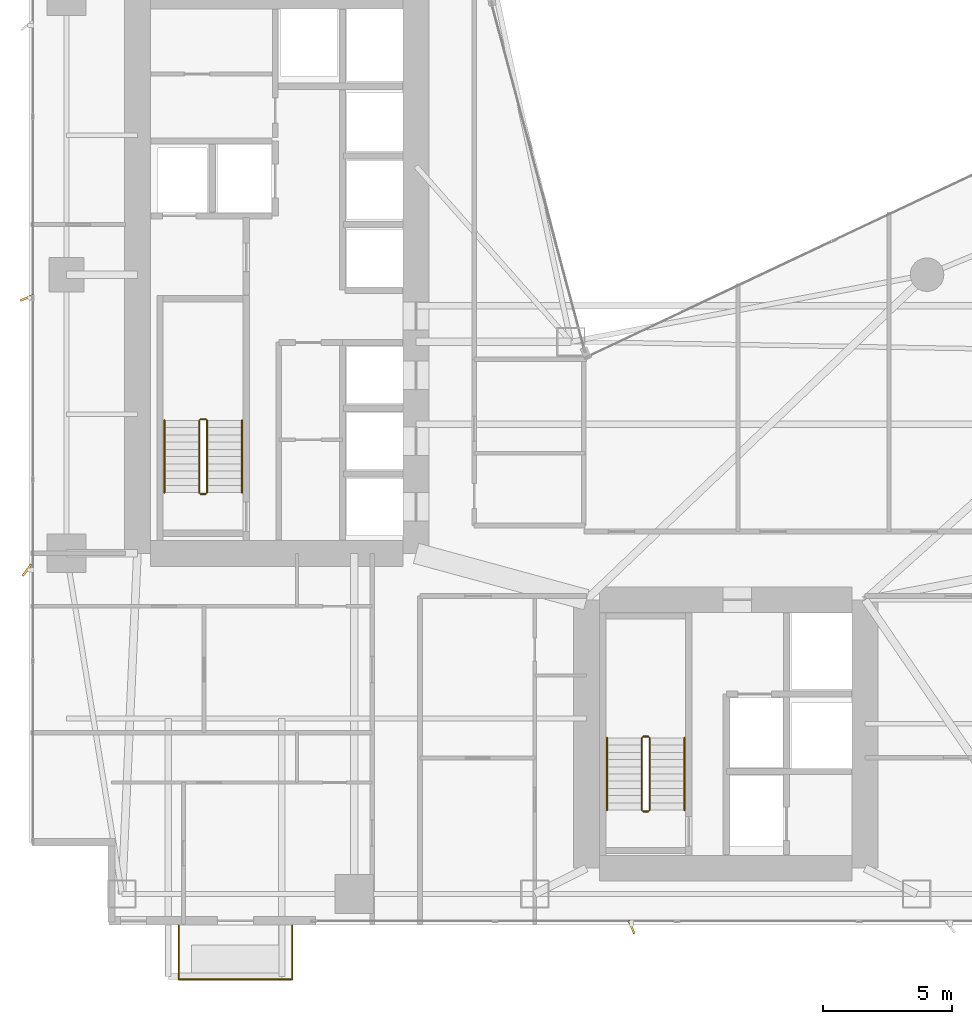
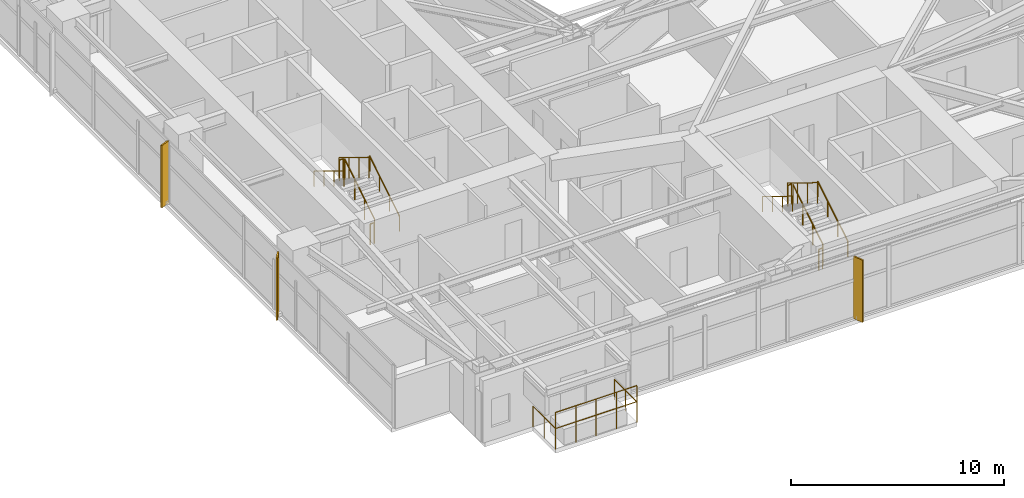
# One storey, part 28 of 29: 14 railings, 3 shading devices.
"""IFC4 building model written with IfcOpenShell, lengths in metres."""

from ifc_helpers import new_model, si_unit, direction, frame, origin, origin_2d, place, context, subcontext, project, spatial, rectangle, circle, extrude, material, type_object, element, save


model = new_model("IFC4")

# Units and contexts
model_context = context("Model", 3, precision=1e-05, world=origin(), true_north=direction((0.0, 1.0)))
body_context = subcontext(model_context, "Body", "Model", "MODEL_VIEW")
ifc_project = project(units=[si_unit("LENGTHUNIT", "METRE"), si_unit("AREAUNIT", "SQUARE_METRE"), si_unit("VOLUMEUNIT", "CUBIC_METRE"), si_unit("PLANEANGLEUNIT", "RADIAN"), si_unit("MASSUNIT", "GRAM", prefix="KILO")], contexts=[model_context])

# Site, building, storey
site_placement = place(None, origin())
site = spatial("IfcSite", under=ifc_project, at=site_placement, CompositionType="ELEMENT")
building_placement = place(site_placement, origin())
building = spatial("IfcBuilding", under=site, at=building_placement, Name="Calvorn Quay Hotel", CompositionType="ELEMENT")
storey_placement = place(building_placement, frame((0.0, 0.0, 62.199951171875)))
storey = spatial("IfcBuildingStorey", under=building, at=storey_placement, Name="L14", CompositionType="ELEMENT", Elevation=62.199951171875)

# Railings
ifc_material_1 = material(Name="Pale Anodised Aluminium and Laminated Glass", Category="aluminium")
railing_type_1 = type_object("IfcRailingType", Name="RLG-BALUSTRADE-1200", PredefinedType="BALUSTRADE", material=ifc_material_1)
railing_1_placement = place(storey_placement, frame((5.800048828125, 2.389892578125, 0.0)))
element("IfcRailing", 1, at=railing_1_placement, inside=storey, type_object=railing_type_1, Name="Tree Balcony Perimeter Balustrade L14-BALC-S", PredefinedType="BALUSTRADE", context=body_context, shape_type="SweptSolid", body=[
    extrude(circle(Radius=0.02392578125, at=origin_2d()), frame((0.0, 0.0, 1.17578125), z_axis=(0.0, -1.0, 0.0), x_axis=(1.0, 0.0, 0.0)), (0.0, 0.0, 1.0), 2.099853515625),
    extrude(circle(Radius=0.02392578125, at=origin_2d()), frame((0.0, -2.099853515625, 1.17578125), z_axis=(1.0, 0.0, 0.0), x_axis=(0.0, 1.0, 0.0)), (0.0, 0.0, 1.0), 4.39990234375),
    extrude(circle(Radius=0.02392578125, at=origin_2d()), frame((4.39990234375, -2.099853515625, 1.17578125), z_axis=(0.0, 1.0, 0.0), x_axis=(-1.0, 0.0, 0.0)), (0.0, 0.0, 1.0), 2.099853515625),
    extrude(circle(Radius=0.02099609375, at=origin_2d()), origin(), (0.0, 0.0, 1.0), 1.15185546875),
    extrude(circle(Radius=0.02099609375, at=origin_2d()), frame((0.0, -1.0498046875, 0.0)), (0.0, 0.0, 1.0), 1.15185546875),
    extrude(circle(Radius=0.02099609375, at=origin_2d()), frame((0.0, -2.099853515625, 0.0)), (0.0, 0.0, 1.0), 1.15185546875),
    extrude(circle(Radius=0.02099609375, at=origin_2d()), frame((1.10009765625, -2.099853515625, 0.0)), (0.0, 0.0, 1.0), 1.15185546875),
    extrude(circle(Radius=0.02099609375, at=origin_2d()), frame((2.199951171875, -2.099853515625, 0.0)), (0.0, 0.0, 1.0), 1.15185546875),
    extrude(circle(Radius=0.02099609375, at=origin_2d()), frame((3.2998046875, -2.099853515625, 0.0)), (0.0, 0.0, 1.0), 1.15185546875),
    extrude(circle(Radius=0.02099609375, at=origin_2d()), frame((4.39990234375, -2.099853515625, 0.0)), (0.0, 0.0, 1.0), 1.15185546875),
    extrude(circle(Radius=0.02099609375, at=origin_2d()), frame((4.39990234375, -1.0498046875, 0.0)), (0.0, 0.0, 1.0), 1.15185546875),
    extrude(circle(Radius=0.02099609375, at=origin_2d()), frame((4.39990234375, 0.0, 0.0)), (0.0, 0.0, 1.0), 1.15185546875),
])
railing_2_placement = place(storey_placement, frame((5.800048828125, 0.2900390625, 0.900146484375)))
element("IfcRailing", 2, at=railing_2_placement, inside=storey, type_object=railing_type_1, Name="Planter Kerb High Safety Screen L14-BALC-S", PredefinedType="BALUSTRADE", context=body_context, shape_type="SweptSolid", body=[
    extrude(circle(Radius=0.02392578125, at=origin_2d()), frame((0.0, 0.0, 1.19580078125), z_axis=(1.0, 0.0, 0.0), x_axis=(0.0, 1.0, 0.0)), (0.0, 0.0, 1.0), 4.39990234375),
    extrude(circle(Radius=0.02099609375, at=origin_2d()), origin(), (0.0, 0.0, 1.0), 1.171875),
    extrude(circle(Radius=0.02099609375, at=origin_2d()), frame((1.10009765625, 0.0, 0.0)), (0.0, 0.0, 1.0), 1.171875),
    extrude(circle(Radius=0.02099609375, at=origin_2d()), frame((2.199951171875, 0.0, 0.0)), (0.0, 0.0, 1.0), 1.171875),
    extrude(circle(Radius=0.02099609375, at=origin_2d()), frame((3.2998046875, 0.0, 0.0)), (0.0, 0.0, 1.0), 1.171875),
    extrude(circle(Radius=0.02099609375, at=origin_2d()), frame((4.39990234375, 0.0, 0.0)), (0.0, 0.0, 1.0), 1.171875),
])
ifc_material_2 = material(Name="Brushed Stainless Steel Handrail", Category="steel")
railing_type_2 = type_object("IfcRailingType", Name="RLG-HANDRAIL-900", PredefinedType="HANDRAIL", material=ifc_material_2)
railing_3_placement = place(storey_placement, frame((8.25, 19.14990234375, 0.1728515625)))
element("IfcRailing", 3, at=railing_3_placement, inside=storey, type_object=railing_type_2, Name="L14 ST-W stair handrail 1", PredefinedType="HANDRAIL", context=body_context, shape_type="SweptSolid", body=[
    extrude(circle(Radius=0.02392578125, at=origin_2d()), frame((0.0, 0.0, 0.8759765625), z_axis=(0.0, 0.851089632645, 0.525020415988), x_axis=(-1.0, 0.0, 0.0)), (0.0, 0.0, 1.0), 3.2900390625),
    extrude(circle(Radius=0.02099609375, at=origin_2d()), origin(), (0.0, 0.0, 1.0), 0.851806640625),
    extrude(circle(Radius=0.02099609375, at=origin_2d()), frame((0.0, 0.933349609375, 0.57568359375)), (0.0, 0.0, 1.0), 0.851806640625),
    extrude(circle(Radius=0.02099609375, at=origin_2d()), frame((0.0, 1.86669921875, 1.151611328125)), (0.0, 0.0, 1.0), 0.851806640625),
    extrude(circle(Radius=0.02099609375, at=origin_2d()), frame((0.0, 2.800048828125, 1.727294921875)), (0.0, 0.0, 1.0), 0.851806640625),
])
railing_4_placement = place(storey_placement, frame((5.25, 21.949951171875, 2.07275390625)))
element("IfcRailing", 4, at=railing_4_placement, inside=storey, type_object=railing_type_2, Name="L14 ST-W stair handrail 2", PredefinedType="HANDRAIL", context=body_context, shape_type="SweptSolid", body=[
    extrude(circle(Radius=0.02392578125, at=origin_2d()), frame((0.0, 0.0, 0.8759765625), z_axis=(0.0, -0.851089632645, 0.525020415988), x_axis=(1.0, 0.0, 0.0)), (0.0, 0.0, 1.0), 3.2900390625),
    extrude(circle(Radius=0.02099609375, at=origin_2d()), origin(), (0.0, 0.0, 1.0), 0.851806640625),
    extrude(circle(Radius=0.02099609375, at=origin_2d()), frame((0.0, -0.933349609375, 0.57568359375)), (0.0, 0.0, 1.0), 0.851806640625),
    extrude(circle(Radius=0.02099609375, at=origin_2d()), frame((0.0, -1.86669921875, 1.151611328125)), (0.0, 0.0, 1.0), 0.851806640625),
    extrude(circle(Radius=0.02099609375, at=origin_2d()), frame((0.0, -2.800048828125, 1.727294921875)), (0.0, 0.0, 1.0), 0.851806640625),
])
railing_5_placement = place(storey_placement, frame((25.39990234375, 6.85009765625, 0.1728515625)))
element("IfcRailing", 5, at=railing_5_placement, inside=storey, type_object=railing_type_2, Name="L14 ST-E stair handrail 1", PredefinedType="HANDRAIL", context=body_context, shape_type="SweptSolid", body=[
    extrude(circle(Radius=0.02392578125, at=origin_2d()), frame((0.0, 0.0, 0.8759765625), z_axis=(0.0, 0.851069175582, 0.525053576669), x_axis=(-1.0, 0.0, 0.0)), (0.0, 0.0, 1.0), 3.289794921875),
    extrude(circle(Radius=0.02099609375, at=origin_2d()), origin(), (0.0, 0.0, 1.0), 0.851806640625),
    extrude(circle(Radius=0.02099609375, at=origin_2d()), frame((0.0, 0.933349609375, 0.57568359375)), (0.0, 0.0, 1.0), 0.851806640625),
    extrude(circle(Radius=0.02099609375, at=origin_2d()), frame((0.0, 1.866455078125, 1.151611328125)), (0.0, 0.0, 1.0), 0.851806640625),
    extrude(circle(Radius=0.02099609375, at=origin_2d()), frame((0.0, 2.7998046875, 1.727294921875)), (0.0, 0.0, 1.0), 0.851806640625),
])
railing_6_placement = place(storey_placement, frame((22.39990234375, 9.64990234375, 2.07275390625)))
element("IfcRailing", 6, at=railing_6_placement, inside=storey, type_object=railing_type_2, Name="L14 ST-E stair handrail 2", PredefinedType="HANDRAIL", context=body_context, shape_type="SweptSolid", body=[
    extrude(circle(Radius=0.02392578125, at=origin_2d()), frame((0.0, 0.0, 0.8759765625), z_axis=(0.0, -0.851069175582, 0.525053576669), x_axis=(1.0, 0.0, 0.0)), (0.0, 0.0, 1.0), 3.289794921875),
    extrude(circle(Radius=0.02099609375, at=origin_2d()), origin(), (0.0, 0.0, 1.0), 0.851806640625),
    extrude(circle(Radius=0.02099609375, at=origin_2d()), frame((0.0, -0.933349609375, 0.57568359375)), (0.0, 0.0, 1.0), 0.851806640625),
    extrude(circle(Radius=0.02099609375, at=origin_2d()), frame((0.0, -1.866455078125, 1.151611328125)), (0.0, 0.0, 1.0), 0.851806640625),
    extrude(circle(Radius=0.02099609375, at=origin_2d()), frame((0.0, -2.7998046875, 1.727294921875)), (0.0, 0.0, 1.0), 0.851806640625),
])
ifc_material_3 = material(Name="Painted Galvanised Steel Balustrade", Category="steel")
railing_type_3 = type_object("IfcRailingType", Name="RLG-STAIR-GUARD-1120", PredefinedType="GUARDRAIL", material=ifc_material_3)
railing_7_placement = place(storey_placement, frame((6.89990234375, 19.14990234375, 0.1728515625)))
element("IfcRailing", 7, at=railing_7_placement, inside=storey, type_object=railing_type_3, Name="L14 ST-W stair guard 1", PredefinedType="GUARDRAIL", context=body_context, shape_type="SweptSolid", body=[
    extrude(circle(Radius=0.02392578125, at=origin_2d()), frame((0.0, 0.0, 1.17578125), z_axis=(0.0, 0.851089632645, 0.525020415988), x_axis=(-1.0, 0.0, 0.0)), (0.0, 0.0, 1.0), 3.2900390625),
    extrude(circle(Radius=0.02099609375, at=origin_2d()), origin(), (0.0, 0.0, 1.0), 1.15185546875),
    extrude(circle(Radius=0.02099609375, at=origin_2d()), frame((0.0, 0.933349609375, 0.57568359375)), (0.0, 0.0, 1.0), 1.15185546875),
    extrude(circle(Radius=0.02099609375, at=origin_2d()), frame((0.0, 1.86669921875, 1.151611328125)), (0.0, 0.0, 1.0), 1.15185546875),
    extrude(circle(Radius=0.02099609375, at=origin_2d()), frame((0.0, 2.800048828125, 1.727294921875)), (0.0, 0.0, 1.0), 1.15185546875),
])
railing_8_placement = place(storey_placement, frame((6.85009765625, 22.0, 1.900146484375)))
element("IfcRailing", 8, at=railing_8_placement, inside=storey, type_object=railing_type_3, Name="L14 ST-W stair guard 2", PredefinedType="GUARDRAIL", context=body_context, shape_type="SweptSolid", body=[
    extrude(circle(Radius=0.02392578125, at=origin_2d()), frame((0.0, 0.0, 1.17578125), z_axis=(-1.0, 0.0, 0.0), x_axis=(0.0, -1.0, 0.0)), (0.0, 0.0, 1.0), 0.2001953125),
    extrude(circle(Radius=0.02099609375, at=origin_2d()), origin(), (0.0, 0.0, 1.0), 1.15185546875),
    extrude(circle(Radius=0.02099609375, at=origin_2d()), frame((-0.2001953125, 0.0, 0.0)), (0.0, 0.0, 1.0), 1.15185546875),
])
railing_9_placement = place(storey_placement, frame((6.60009765625, 21.949951171875, 2.07275390625)))
element("IfcRailing", 9, at=railing_9_placement, inside=storey, type_object=railing_type_3, Name="L14 ST-W stair guard 3", PredefinedType="GUARDRAIL", context=body_context, shape_type="SweptSolid", body=[
    extrude(circle(Radius=0.02392578125, at=origin_2d()), frame((0.0, 0.0, 1.17578125), z_axis=(0.0, -0.851089632645, 0.525020415988), x_axis=(1.0, 0.0, 0.0)), (0.0, 0.0, 1.0), 3.2900390625),
    extrude(circle(Radius=0.02099609375, at=origin_2d()), origin(), (0.0, 0.0, 1.0), 1.15185546875),
    extrude(circle(Radius=0.02099609375, at=origin_2d()), frame((0.0, -0.933349609375, 0.57568359375)), (0.0, 0.0, 1.0), 1.15185546875),
    extrude(circle(Radius=0.02099609375, at=origin_2d()), frame((0.0, -1.86669921875, 1.151611328125)), (0.0, 0.0, 1.0), 1.15185546875),
    extrude(circle(Radius=0.02099609375, at=origin_2d()), frame((0.0, -2.800048828125, 1.727294921875)), (0.0, 0.0, 1.0), 1.15185546875),
])
railing_10_placement = place(storey_placement, frame((6.85009765625, 19.10009765625, 0.0)))
element("IfcRailing", 10, at=railing_10_placement, inside=storey, type_object=railing_type_3, Name="L14 ST-W stair guard 4", PredefinedType="GUARDRAIL", context=body_context, shape_type="SweptSolid", body=[
    extrude(circle(Radius=0.02392578125, at=origin_2d()), frame((0.0, 0.0, 1.17578125), z_axis=(-1.0, 0.0, 0.0), x_axis=(0.0, -1.0, 0.0)), (0.0, 0.0, 1.0), 0.2001953125),
    extrude(circle(Radius=0.02099609375, at=origin_2d()), origin(), (0.0, 0.0, 1.0), 1.15185546875),
    extrude(circle(Radius=0.02099609375, at=origin_2d()), frame((-0.2001953125, 0.0, 0.0)), (0.0, 0.0, 1.0), 1.15185546875),
])
railing_11_placement = place(storey_placement, frame((24.050048828125, 6.85009765625, 0.1728515625)))
element("IfcRailing", 11, at=railing_11_placement, inside=storey, type_object=railing_type_3, Name="L14 ST-E stair guard 1", PredefinedType="GUARDRAIL", context=body_context, shape_type="SweptSolid", body=[
    extrude(circle(Radius=0.02392578125, at=origin_2d()), frame((0.0, 0.0, 1.17578125), z_axis=(0.0, 0.851069175582, 0.525053576669), x_axis=(-1.0, 0.0, 0.0)), (0.0, 0.0, 1.0), 3.289794921875),
    extrude(circle(Radius=0.02099609375, at=origin_2d()), origin(), (0.0, 0.0, 1.0), 1.15185546875),
    extrude(circle(Radius=0.02099609375, at=origin_2d()), frame((0.0, 0.933349609375, 0.57568359375)), (0.0, 0.0, 1.0), 1.15185546875),
    extrude(circle(Radius=0.02099609375, at=origin_2d()), frame((0.0, 1.866455078125, 1.151611328125)), (0.0, 0.0, 1.0), 1.15185546875),
    extrude(circle(Radius=0.02099609375, at=origin_2d()), frame((0.0, 2.7998046875, 1.727294921875)), (0.0, 0.0, 1.0), 1.15185546875),
])
railing_12_placement = place(storey_placement, frame((24.0, 9.699951171875, 1.900146484375)))
element("IfcRailing", 12, at=railing_12_placement, inside=storey, type_object=railing_type_3, Name="L14 ST-E stair guard 2", PredefinedType="GUARDRAIL", context=body_context, shape_type="SweptSolid", body=[
    extrude(circle(Radius=0.02392578125, at=origin_2d()), frame((0.0, 0.0, 1.17578125), z_axis=(-1.0, 0.0, 0.0), x_axis=(0.0, -1.0, 0.0)), (0.0, 0.0, 1.0), 0.199951171875),
    extrude(circle(Radius=0.02099609375, at=origin_2d()), origin(), (0.0, 0.0, 1.0), 1.15185546875),
    extrude(circle(Radius=0.02099609375, at=origin_2d()), frame((-0.199951171875, 0.0, 0.0)), (0.0, 0.0, 1.0), 1.15185546875),
])
railing_13_placement = place(storey_placement, frame((23.75, 9.64990234375, 2.07275390625)))
element("IfcRailing", 13, at=railing_13_placement, inside=storey, type_object=railing_type_3, Name="L14 ST-E stair guard 3", PredefinedType="GUARDRAIL", context=body_context, shape_type="SweptSolid", body=[
    extrude(circle(Radius=0.02392578125, at=origin_2d()), frame((0.0, 0.0, 1.17578125), z_axis=(0.0, -0.851069175582, 0.525053576669), x_axis=(1.0, 0.0, 0.0)), (0.0, 0.0, 1.0), 3.289794921875),
    extrude(circle(Radius=0.02099609375, at=origin_2d()), origin(), (0.0, 0.0, 1.0), 1.15185546875),
    extrude(circle(Radius=0.02099609375, at=origin_2d()), frame((0.0, -0.933349609375, 0.57568359375)), (0.0, 0.0, 1.0), 1.15185546875),
    extrude(circle(Radius=0.02099609375, at=origin_2d()), frame((0.0, -1.866455078125, 1.151611328125)), (0.0, 0.0, 1.0), 1.15185546875),
    extrude(circle(Radius=0.02099609375, at=origin_2d()), frame((0.0, -2.7998046875, 1.727294921875)), (0.0, 0.0, 1.0), 1.15185546875),
])
railing_14_placement = place(storey_placement, frame((24.0, 6.800048828125, 0.0)))
element("IfcRailing", 14, at=railing_14_placement, inside=storey, type_object=railing_type_3, Name="L14 ST-E stair guard 4", PredefinedType="GUARDRAIL", context=body_context, shape_type="SweptSolid", body=[
    extrude(circle(Radius=0.02392578125, at=origin_2d()), frame((0.0, 0.0, 1.17578125), z_axis=(-1.0, 0.0, 0.0), x_axis=(0.0, -1.0, 0.0)), (0.0, 0.0, 1.0), 0.199951171875),
    extrude(circle(Radius=0.02099609375, at=origin_2d()), origin(), (0.0, 0.0, 1.0), 1.15185546875),
    extrude(circle(Radius=0.02099609375, at=origin_2d()), frame((-0.199951171875, 0.0, 0.0)), (0.0, 0.0, 1.0), 1.15185546875),
])

# Shading devices
ifc_material_4 = material(Name="Champagne Bronze Anodised Aluminium 6063-T6", Category="aluminium")
shading_device_type_1 = type_object("IfcShadingDeviceType", Name="SHD-FIN-A1", PredefinedType="USERDEFINED", material=ifc_material_4)
for number, where, z_axis, x_axis, name in (
    (15, (-0.080078125, 26.699951171875, 0.0), (0.0, 0.0, 1.0), (0.927183854567, 0.374606593416, 0.0), "Diagonal Sun-Shading Fin L14-W02"),
    (16, (23.35009765625, 2.320068359375, 0.0), (0.0, 0.0, 1.0), (-0.374606593416, 0.927183854567, 0.0), "Diagonal Sun-Shading Fin L14-S01"),
):
    element("IfcShadingDevice", number, at=place(storey_placement, frame(where, z_axis=z_axis, x_axis=x_axis)), inside=storey, type_object=shading_device_type_1, Name=name, ObjectType="FIN", PredefinedType="USERDEFINED", context=body_context, shape_type="SweptSolid", body=[
        extrude(rectangle(XDim=0.550048828125, YDim=0.080078125, at=origin_2d()), origin(), (0.0, 0.0, 1.0), 3.56005859375),
    ])
ifc_material_5 = material(Name="Champagne Bronze Anodised Aluminium 6063-T6", Category="aluminium")
shading_device_type_2 = type_object("IfcShadingDeviceType", Name="SHD-FIN-A3", PredefinedType="USERDEFINED", material=ifc_material_5)
shading_device_placement = place(storey_placement, frame((-0.080078125, 16.14990234375, 0.0), z_axis=(0.0, 0.0, 1.0), x_axis=(0.587785252292, 0.809016994375, 0.0)))
element("IfcShadingDevice", 17, at=shading_device_placement, inside=storey, type_object=shading_device_type_2, Name="Diagonal Sun-Shading Fin L14-W01", ObjectType="FIN", PredefinedType="USERDEFINED", context=body_context, shape_type="SweptSolid", body=[
    extrude(rectangle(XDim=0.550048828125, YDim=0.080078125, at=origin_2d()), origin(), (0.0, 0.0, 1.0), 3.56005859375),
])

save(model, "model.ifc")
